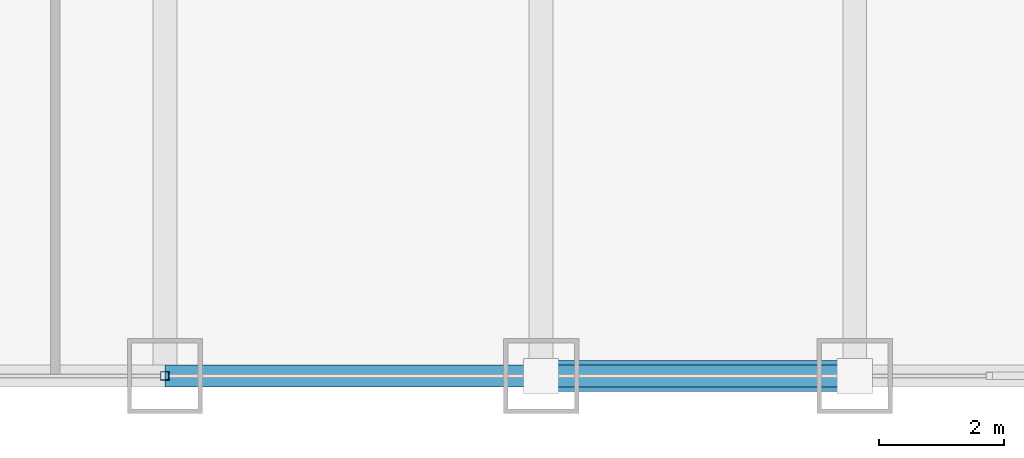
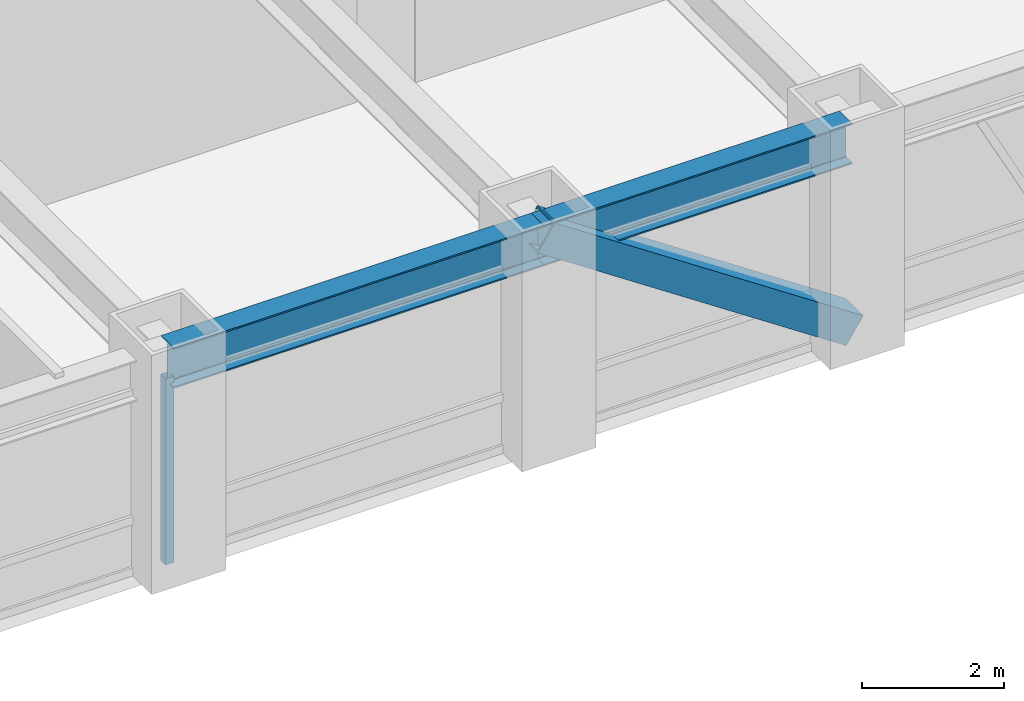
# One storey, part 4 of 27: 2 beams, 2 members, 1 element without a shape of its own.
"""IFC4 building model written with IfcOpenShell, lengths in metres."""

from ifc_helpers import new_model, si_unit, direction, frame, origin, origin_2d, place, context, subcontext, project, spatial, hollow_rectangle, i_section, extrude, source, transform, mapped, material, material_profile, profile_set, type_object, element, aggregate, save


model = new_model("IFC4")

# Units and contexts
model_context = context("Model", 3, precision=1e-05, world=origin(), true_north=direction((0.0, 1.0)))
body_context = subcontext(model_context, "Body", "Model", "MODEL_VIEW")
ifc_project = project(units=[si_unit("LENGTHUNIT", "METRE"), si_unit("AREAUNIT", "SQUARE_METRE"), si_unit("VOLUMEUNIT", "CUBIC_METRE"), si_unit("PLANEANGLEUNIT", "RADIAN"), si_unit("MASSUNIT", "GRAM", prefix="KILO")], contexts=[model_context])

# Site, building, storey
site_placement = place(None, origin())
site = spatial("IfcSite", under=ifc_project, at=site_placement, CompositionType="ELEMENT")
building_placement = place(site_placement, origin())
building = spatial("IfcBuilding", under=site, at=building_placement, Name="Khorayat Bourse Tower", CompositionType="ELEMENT")
storey_placement = place(building_placement, frame((0.0, 0.0, 140.60009765625)))
storey = spatial("IfcBuildingStorey", under=building, at=storey_placement, Name="L32", CompositionType="ELEMENT", Elevation=140.60009765625)

# Beams
ifc_material_1 = material(Name="Steel ASTM A992 Grade 50", Category="steel")
ifc_material_profile_1 = material_profile(ifc_material_1, i_section(OverallWidth=0.35498046875, OverallDepth=0.695068359375, WebThickness=0.015380859375, FlangeThickness=0.02490234375, FilletRadius=0.01806640625, at=origin_2d()), Name="W690X217")
ifc_profile_set_1 = profile_set([ifc_material_profile_1], Name="Steel ASTM A992 Grade 50")
beam_type = type_object("IfcBeamType", Name="BM-SPAN-690", PredefinedType="SPANDREL", material=ifc_profile_set_1)
shared_shape_1 = source(origin(), body_context, "Body", "SweptSolid", [
    extrude(i_section(OverallWidth=0.35498046875, OverallDepth=0.695068359375, WebThickness=0.015380859375, FlangeThickness=0.02490234375, FilletRadius=0.01806640625, at=origin_2d()), origin(), (0.0, 0.0, 1.0), 5.0),
])
beam_1_placement = place(storey_placement, frame((6.0, -32.0, 3.412353515625), z_axis=(1.0, 0.0, 0.0), x_axis=(0.0, 1.0, 0.0)))
element("IfcBeam", 1, at=beam_1_placement, inside=storey, type_object=beam_type, Name="L32 BM-SPAN-690 BM-L32-SPN-029", PredefinedType="SPANDREL", context=body_context, shape_type="MappedRepresentation", body=[
    mapped(shared_shape_1, transform((0.0, 0.0, 0.0), scale=1.0)),
])
shared_shape_2 = source(origin(), body_context, "Body", "SweptSolid", [
    extrude(i_section(OverallWidth=0.35498046875, OverallDepth=0.695068359375, WebThickness=0.015380859375, FlangeThickness=0.02490234375, FilletRadius=0.01806640625, at=origin_2d()), origin(), (0.0, 0.0, 1.0), 6.0),
])
beam_2_placement = place(storey_placement, frame((0.0, -32.0, 3.412353515625), z_axis=(1.0, 0.0, 0.0), x_axis=(0.0, 1.0, 0.0)))
element("IfcBeam", 2, at=beam_2_placement, inside=storey, type_object=beam_type, Name="L32 BM-SPAN-690 BM-L32-SPN-028", PredefinedType="SPANDREL", context=body_context, shape_type="MappedRepresentation", body=[
    mapped(shared_shape_2, transform((0.0, 0.0, 0.0), scale=1.0)),
])

# Member
ifc_material_2 = material(Name="Steel EN 10025-4 S460M", Category="steel")
ifc_material_profile_2 = material_profile(ifc_material_2, hollow_rectangle(XDim=0.5, YDim=0.5, WallThickness=0.028076171875, at=origin_2d()), Name="HSS 500x500x28")
ifc_profile_set_2 = profile_set([ifc_material_profile_2], Name="Steel EN 10025-4 S460M")
member_type_1 = type_object("IfcMemberType", Name="MBR-TUBE-500", PredefinedType="BRACE", material=ifc_profile_set_2)
shared_shape_3 = source(origin(), body_context, "Body", "SweptSolid", [
    extrude(hollow_rectangle(XDim=0.5, YDim=0.5, WallThickness=0.028076171875, at=origin_2d()), origin(), (0.0, 0.0, 1.0), 6.012939453125),
])
member_1_placement = place(storey_placement, frame((6.0, -32.0, 3.58984375), z_axis=(0.831550226979, 0.0, -0.555449565677), x_axis=(0.0, 1.0, 0.0)))
element("IfcMember", 3, at=member_1_placement, inside=storey, type_object=member_type_1, Name="L32 Perimeter Tube Brace 02", PredefinedType="BRACE", context=body_context, shape_type="MappedRepresentation", body=[
    mapped(shared_shape_3, transform((0.0, 0.0, 0.0), scale=1.0)),
])

# Curtain wall, member
ifc_material_3 = material(Name="Aluminium EN AW-6063 T6", Category="aluminium")
curtain_wall_type = type_object("IfcCurtainWallType", Name="CW-SYS-02", PredefinedType="NOTDEFINED", material=ifc_material_3)
curtain_wall_placement = place(storey_placement, origin())
curtain_wall = element("IfcCurtainWall", 4, at=curtain_wall_placement, inside=storey, type_object=curtain_wall_type, Name="L32 Curtain Wall CW-L32-S1", PredefinedType="NOTDEFINED")
ifc_material_profile_3 = material_profile(ifc_material_3, hollow_rectangle(XDim=0.139892578125, YDim=0.139892578125, WallThickness=0.006103515625, at=origin_2d()), Name="ALU 140x140x6")
ifc_profile_set_3 = profile_set([ifc_material_profile_3], Name="Aluminium EN AW-6063 T6")
member_type_2 = type_object("IfcMemberType", Name="CWM-VERT-140", PredefinedType="MULLION", material=ifc_profile_set_3)
shared_shape_4 = source(origin(), body_context, "Body", "SweptSolid", [
    extrude(hollow_rectangle(XDim=0.139892578125, YDim=0.139892578125, WallThickness=0.006103515625, at=origin_2d()), origin(), (0.0, 0.0, 1.0), 3.18994140625),
])
member_2_placement = place(storey_placement, frame((0.0, -32.0, 0.0), z_axis=(0.0, 0.0, 1.0), x_axis=(0.0, 1.0, 0.0)))
member_2 = element("IfcMember", 5, at=member_2_placement, type_object=member_type_2, Name="CW-L32-S1 Vertical Mullion 2", PredefinedType="MULLION", context=body_context, shape_type="MappedRepresentation", body=[
    mapped(shared_shape_4, transform((0.0, 0.0, 0.0), scale=1.0)),
])
aggregate(curtain_wall, [member_2])

save(model, "model.ifc")
